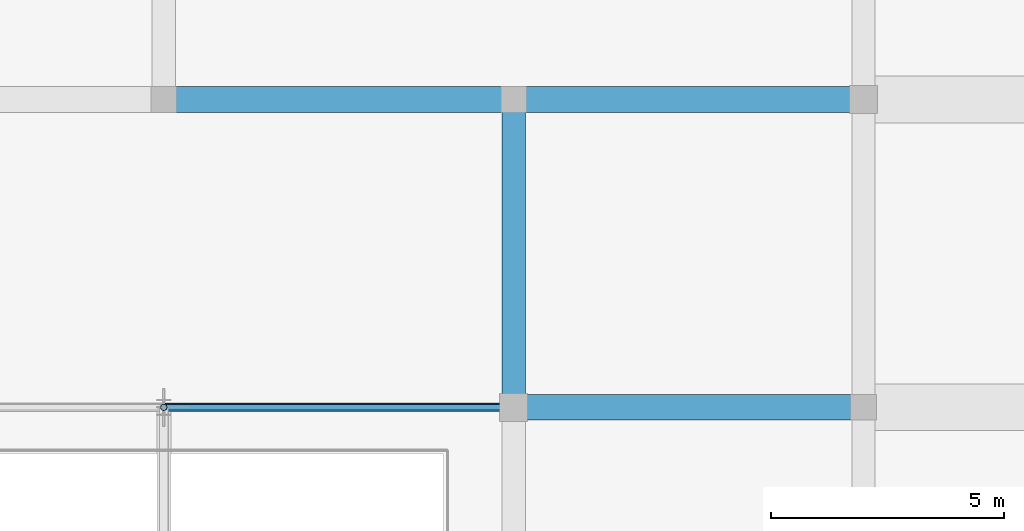
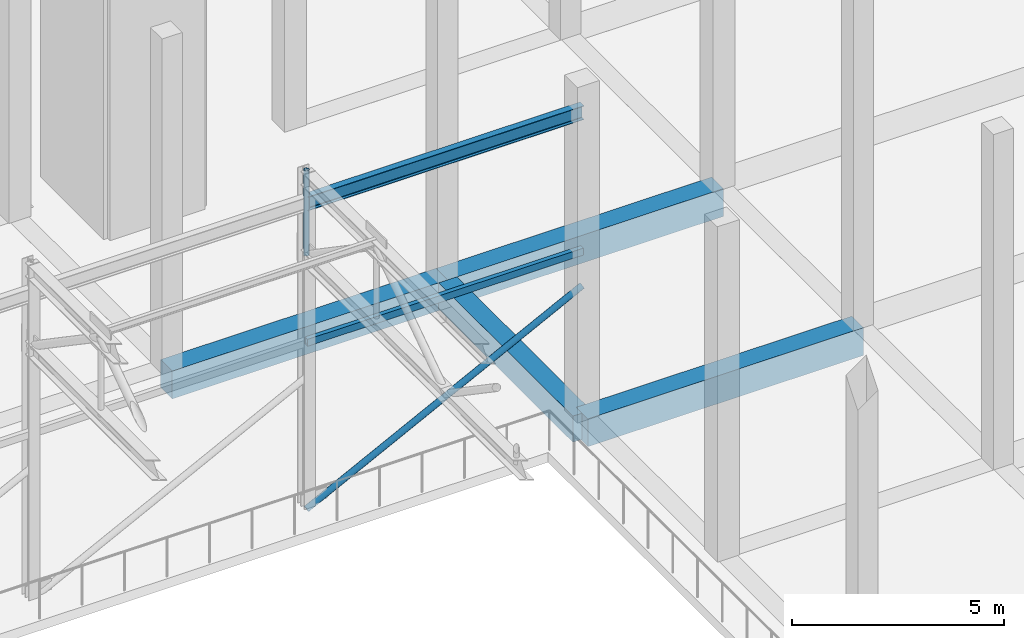
# One storey, part 47 of 80: 5 beams, 3 members.
"""IFC4 building model written with IfcOpenShell, lengths in metres."""

from ifc_helpers import new_model, si_unit, direction, frame, origin, origin_2d, place, context, subcontext, project, spatial, rectangle, hollow_rectangle, hollow_circle, i_section, extrude, material, material_profile, profile_set, type_object, element, save


model = new_model("IFC4")

# Units and contexts
model_context = context("Model", 3, precision=1e-05, world=origin(), true_north=direction((0.0, 1.0)))
body_context = subcontext(model_context, "Body", "Model", "MODEL_VIEW")
ifc_project = project(units=[si_unit("LENGTHUNIT", "METRE"), si_unit("AREAUNIT", "SQUARE_METRE"), si_unit("VOLUMEUNIT", "CUBIC_METRE"), si_unit("PLANEANGLEUNIT", "RADIAN"), si_unit("MASSUNIT", "GRAM", prefix="KILO")], contexts=[model_context])

# Site, building, storey
site_placement = place(None, origin())
site = spatial("IfcSite", under=ifc_project, at=site_placement, CompositionType="ELEMENT")
building_placement = place(site_placement, origin())
building = spatial("IfcBuilding", under=site, at=building_placement, Name="Akrevak Sports Hall", CompositionType="ELEMENT")
storey_placement = place(building_placement, frame((0.0, 0.0, 14.0)))
storey = spatial("IfcBuildingStorey", under=building, at=storey_placement, Name="L03", CompositionType="ELEMENT", Elevation=14.0)

# Beams
ifc_material_1 = material(Name="Concrete C40/50", Category="concrete")
ifc_material_profile_1 = material_profile(ifc_material_1, rectangle(XDim=0.5, YDim=0.75, at=origin_2d()), Name="BM 500x750", Category="concrete")
ifc_profile_set_1 = profile_set([ifc_material_profile_1], Name="Concrete C40/50")
beam_type_1 = type_object("IfcBeamType", Name="STR-BM-RC500x750", PredefinedType="BEAM", material=ifc_profile_set_1)
beam_1_placement = place(storey_placement, frame((138.0, 48.60009765625, -0.375), z_axis=(0.0, 1.0, 0.0), x_axis=(-1.0, 0.0, 0.0)))
element("IfcBeam", 1, at=beam_1_placement, inside=storey, type_object=beam_type_1, Name="Girder 19/H-I (L03)", PredefinedType="BEAM", context=body_context, shape_type="SweptSolid", body=[
    extrude(rectangle(XDim=0.5, YDim=0.75, at=origin_2d()), origin(), (0.0, 0.0, 1.0), 6.599853515625),
])
ifc_material_profile_2 = material_profile(ifc_material_1, rectangle(XDim=0.550048828125, YDim=0.800048828125, at=origin_2d()), Name="BM 550x800", Category="concrete")
ifc_profile_set_2 = profile_set([ifc_material_profile_2], Name="Concrete C40/50")
beam_type_2 = type_object("IfcBeamType", Name="STR-BM-RC550x800", PredefinedType="BEAM", material=ifc_profile_set_2)
for number, where, z_axis, x_axis, name in (
    (2, (138.0, 48.60009765625, -0.39990234375), (1.0, 0.0, 0.0), (0.0, 1.0, 0.0), "Girder H/19-20 (L03)"),
    (3, (130.5, 55.199951171875, -0.39990234375), (1.0, 0.0, 0.0), (0.0, 1.0, 0.0), "Girder I/18-19 (L03)"),
    (4, (138.0, 55.199951171875, -0.39990234375), (1.0, 0.0, 0.0), (0.0, 1.0, 0.0), "Girder I/19-20 (L03)"),
):
    element("IfcBeam", number, at=place(storey_placement, frame(where, z_axis=z_axis, x_axis=x_axis)), inside=storey, type_object=beam_type_2, Name=name, PredefinedType="BEAM", context=body_context, shape_type="SweptSolid", body=[
        extrude(rectangle(XDim=0.550048828125, YDim=0.800048828125, at=origin_2d()), origin(), (0.0, 0.0, 1.0), 7.5),
    ])
ifc_material_2 = material(Name="Steel S355", Category="steel")
ifc_material_profile_3 = material_profile(ifc_material_2, i_section(OverallWidth=0.179931640625, OverallDepth=0.39990234375, WebThickness=0.008544921875, FlangeThickness=0.013427734375, FilletRadius=0.02099609375, at=origin_2d()), Name="IPE 400", Category="steel")
ifc_profile_set_3 = profile_set([ifc_material_profile_3], Name="Steel S355")
beam_type_3 = type_object("IfcBeamType", Name="STR-BM-STL-IPE400", PredefinedType="JOIST", material=ifc_profile_set_3)
beam_2_placement = place(storey_placement, frame((130.5, 48.60009765625, 8.699951171875), z_axis=(1.0, 0.0, 0.0), x_axis=(0.0, 1.0, 0.0)))
element("IfcBeam", 5, at=beam_2_placement, inside=storey, type_object=beam_type_3, Name="Climbing Frame Tie Beam 3 (L03)", PredefinedType="JOIST", context=body_context, shape_type="SweptSolid", body=[
    extrude(i_section(OverallWidth=0.179931640625, OverallDepth=0.39990234375, WebThickness=0.008544921875, FlangeThickness=0.013427734375, FilletRadius=0.02099609375, at=origin_2d()), origin(), (0.0, 0.0, 1.0), 7.5),
])

# Members
ifc_material_profile_4 = material_profile(ifc_material_2, hollow_circle(Radius=0.06982421875, WallThickness=0.008056640625, at=origin_2d()), Name="CHS 139.7x8", Category="steel")
ifc_profile_set_4 = profile_set([ifc_material_profile_4], Name="Steel S355")
member_type_1 = type_object("IfcMemberType", Name="STR-MEM-BRACE-CHS139", PredefinedType="BRACE", material=ifc_profile_set_4)
member_1_placement = place(storey_placement, frame((130.5, 48.60009765625, 7.18994140625), z_axis=(0.0, 0.0, 1.0), x_axis=(1.0, 0.0, 0.0)))
element("IfcMember", 6, at=member_1_placement, inside=storey, type_object=member_type_1, Name="Roof Truss 4 Bearing End Post H", PredefinedType="BRACE", context=body_context, shape_type="SweptSolid", body=[
    extrude(hollow_circle(Radius=0.06982421875, WallThickness=0.008056640625, at=origin_2d()), origin(), (0.0, 0.0, 1.0), 2.449951171875),
])
ifc_material_profile_5 = material_profile(ifc_material_2, hollow_circle(Radius=0.084228515625, WallThickness=0.008056640625, at=origin_2d()), Name="CHS 168.3x8", Category="steel")
ifc_profile_set_5 = profile_set([ifc_material_profile_5], Name="Steel S355")
member_type_2 = type_object("IfcMemberType", Name="STR-MEM-BRACE-CHS168", PredefinedType="BRACE", material=ifc_profile_set_5)
member_2_placement = place(storey_placement, frame((130.5, 48.60009765625, -0.1298828125), z_axis=(0.892045141587, 0.0, 0.451946308062), x_axis=(0.0, 1.0, 0.0)))
element("IfcMember", 7, at=member_2_placement, inside=storey, type_object=member_type_2, Name="Climbing Wall Diagonal Brace BR-3 (L03)", PredefinedType="BRACE", context=body_context, shape_type="SweptSolid", body=[
    extrude(hollow_circle(Radius=0.084228515625, WallThickness=0.008056640625, at=origin_2d()), origin(), (0.0, 0.0, 1.0), 8.40771484375),
])
ifc_material_profile_6 = material_profile(ifc_material_2, hollow_rectangle(XDim=0.1201171875, YDim=0.199951171875, WallThickness=0.010009765625, at=origin_2d()), Name="RHS 200x120x10", Category="steel")
ifc_profile_set_6 = profile_set([ifc_material_profile_6], Name="Steel S355")
member_type_3 = type_object("IfcMemberType", Name="STR-MEM-STR-RHS200", PredefinedType="STRINGER", material=ifc_profile_set_6)
member_3_placement = place(storey_placement, frame((130.5, 48.60009765625, 4.68505859375), z_axis=(1.0, 0.0, 0.0), x_axis=(0.0, 1.0, 0.0)))
element("IfcMember", 8, at=member_3_placement, inside=storey, type_object=member_type_3, Name="Climbing Wall Stringer STG-3 (L03)", PredefinedType="STRINGER", context=body_context, shape_type="SweptSolid", body=[
    extrude(hollow_rectangle(XDim=0.1201171875, YDim=0.199951171875, WallThickness=0.010009765625, at=origin_2d()), origin(), (0.0, 0.0, 1.0), 7.5),
])

save(model, "model.ifc")
